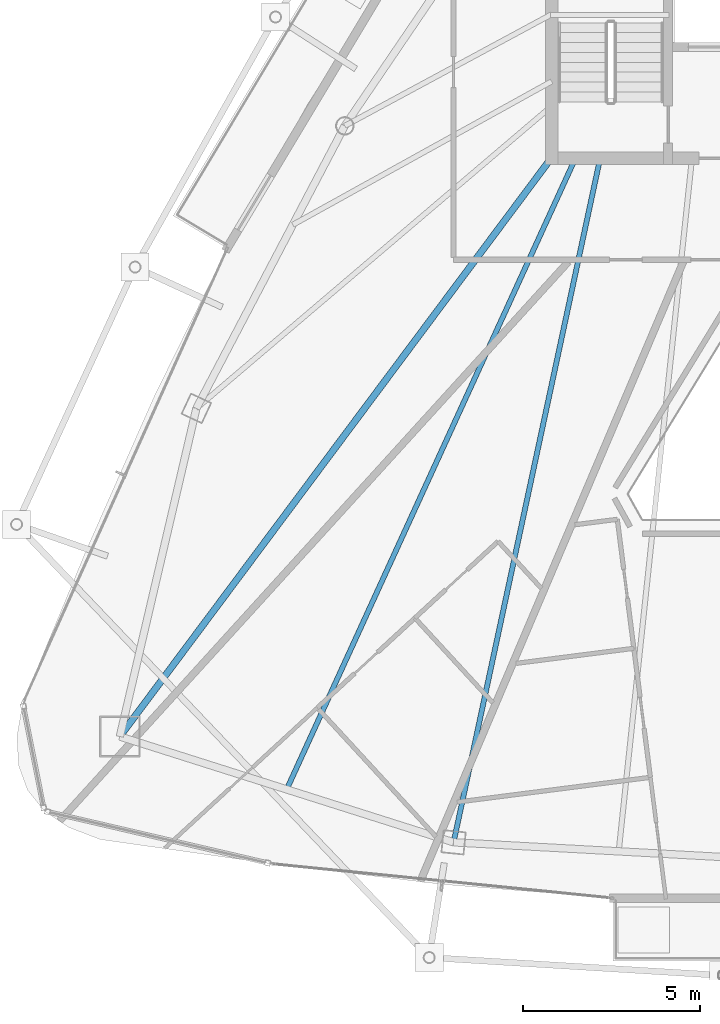
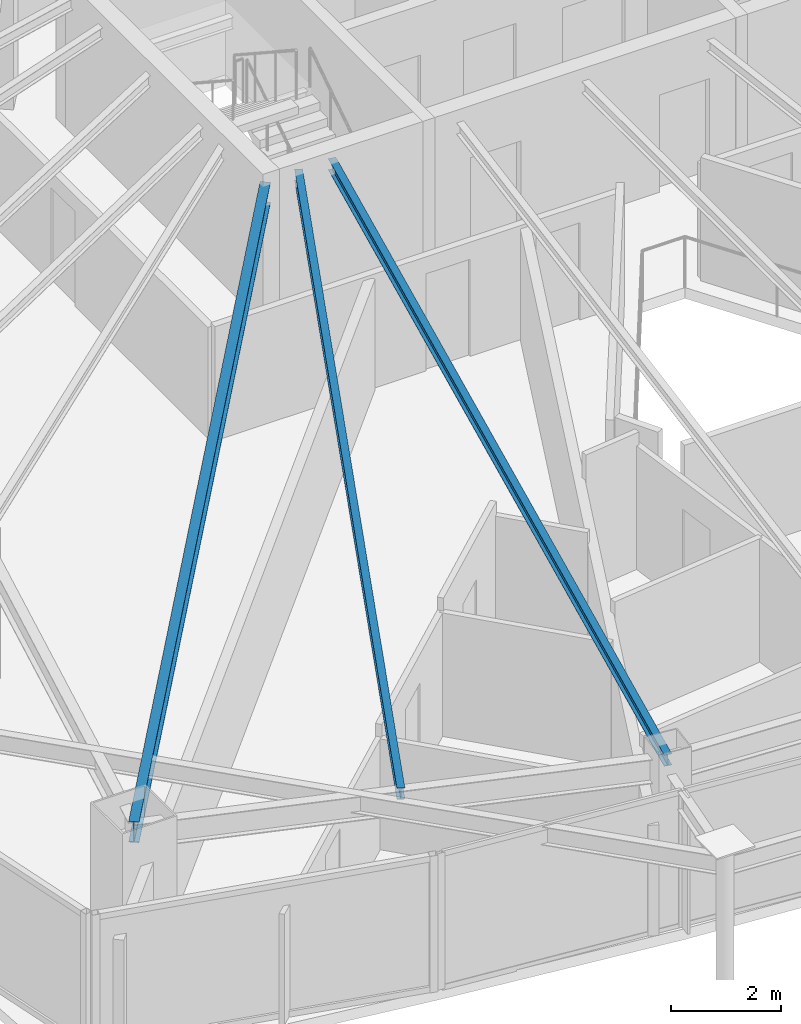
# One storey, part 6 of 30: 3 beams.
"""IFC4 building model written with IfcOpenShell, lengths in metres."""

from ifc_helpers import new_model, si_unit, direction, frame, origin, origin_2d, place, context, subcontext, project, spatial, i_section, extrude, material, material_profile, profile_set, type_object, element, save


model = new_model("IFC4")

# Units and contexts
model_context = context("Model", 3, precision=1e-05, world=origin(), true_north=direction((0.0, 1.0)))
body_context = subcontext(model_context, "Body", "Model", "MODEL_VIEW")
ifc_project = project(units=[si_unit("LENGTHUNIT", "METRE"), si_unit("AREAUNIT", "SQUARE_METRE"), si_unit("VOLUMEUNIT", "CUBIC_METRE"), si_unit("PLANEANGLEUNIT", "RADIAN"), si_unit("MASSUNIT", "GRAM", prefix="KILO")], contexts=[model_context])

# Site, building, storey
site_placement = place(None, origin())
site = spatial("IfcSite", under=ifc_project, at=site_placement, CompositionType="ELEMENT")
building_placement = place(site_placement, origin())
building = spatial("IfcBuilding", under=site, at=building_placement, Name="Orvanel Arch Residences", CompositionType="ELEMENT")
storey_placement = place(building_placement, frame((0.0, 0.0, 273.35009765625)))
storey = spatial("IfcBuildingStorey", under=building, at=storey_placement, Name="L78", CompositionType="ELEMENT", Elevation=273.35009765625)

# Beams
ifc_material = material(Name="Structural steel AS/NZS 3679.1 Grade 300 (300 MPa)", Category="steel")
ifc_material_profile_1 = material_profile(ifc_material, i_section(OverallWidth=0.19091796875, OverallDepth=0.4599609375, WebThickness=0.010009765625, FlangeThickness=0.01611328125, at=origin_2d()), Name="460UB82.1")
ifc_profile_set_1 = profile_set([ifc_material_profile_1], Name="Structural steel AS/NZS 3679.1 Grade 300 (300 MPa)")
beam_type_1 = type_object("IfcBeamType", Name="BG-460UB", PredefinedType="BEAM", material=ifc_profile_set_1)
beam_1_placement = place(storey_placement, frame((26.375, 26.675048828125, 2.789794921875), z_axis=(-0.597893733742, -0.801575375839, 0.0), x_axis=(0.801575375839, -0.597893733742, 0.0)))
element("IfcBeam", 1, at=beam_1_placement, inside=storey, type_object=beam_type_1, Name="L78 South-West Radial Girder", PredefinedType="BEAM", context=body_context, shape_type="SweptSolid", body=[
    extrude(i_section(OverallWidth=0.19091796875, OverallDepth=0.4599609375, WebThickness=0.010009765625, FlangeThickness=0.01611328125, at=origin_2d()), origin(), (0.0, 0.0, 1.0), 20.36474609375),
])
ifc_material_profile_2 = material_profile(ifc_material, i_section(OverallWidth=0.14599609375, OverallDepth=0.251953125, WebThickness=0.006103515625, FlangeThickness=0.008544921875, at=origin_2d()), Name="250UB31.4")
ifc_profile_set_2 = profile_set([ifc_material_profile_2], Name="Structural steel AS/NZS 3679.1 Grade 300 (300 MPa)")
beam_type_2 = type_object("IfcBeamType", Name="BJ-250UB", PredefinedType="JOIST", material=ifc_profile_set_2)
beam_2_placement = place(storey_placement, frame((27.800048828125, 26.72509765625, 2.893798828125), z_axis=(-0.209547604985, -0.977798446125, 0.0), x_axis=(0.977798446125, -0.209547604985, 0.0)))
element("IfcBeam", 2, at=beam_2_placement, inside=storey, type_object=beam_type_2, Name="L78 SW Wing Floor Joist", PredefinedType="JOIST", context=body_context, shape_type="SweptSolid", body=[
    extrude(i_section(OverallWidth=0.14599609375, OverallDepth=0.251953125, WebThickness=0.006103515625, FlangeThickness=0.008544921875, at=origin_2d()), origin(), (0.0, 0.0, 1.0), 19.809814453125),
])
beam_3_placement = place(storey_placement, frame((27.10009765625, 26.72509765625, 2.893798828125), z_axis=(-0.416009574066, -0.909360233508, 0.0), x_axis=(0.909360233508, -0.416009574066, 0.0)))
element("IfcBeam", 3, at=beam_3_placement, inside=storey, type_object=beam_type_2, Name="L78 JADD1 Wing Floor Joist", PredefinedType="JOIST", context=body_context, shape_type="SweptSolid", body=[
    extrude(i_section(OverallWidth=0.14599609375, OverallDepth=0.251953125, WebThickness=0.006103515625, FlangeThickness=0.008544921875, at=origin_2d()), origin(), (0.0, 0.0, 1.0), 19.653564453125),
])

save(model, "model.ifc")
